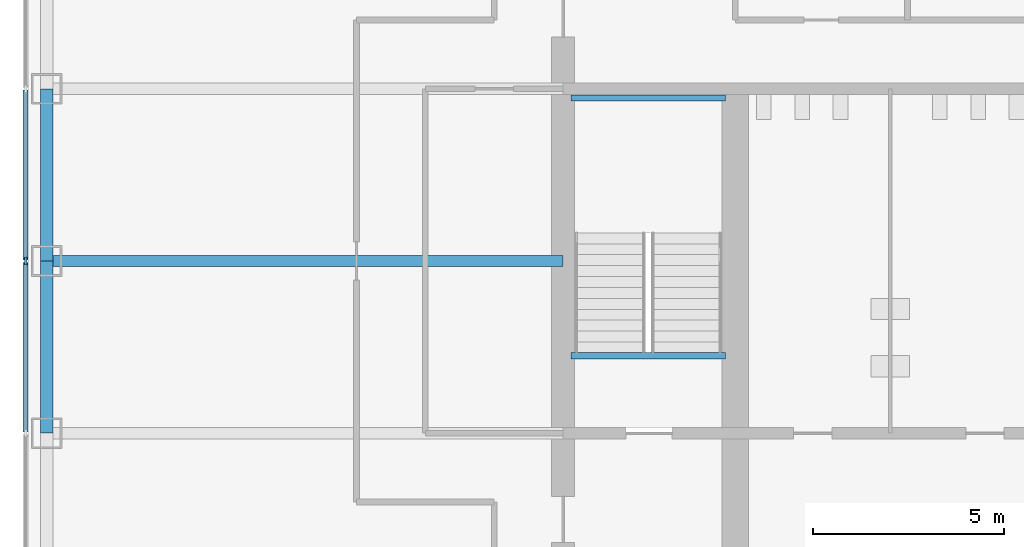
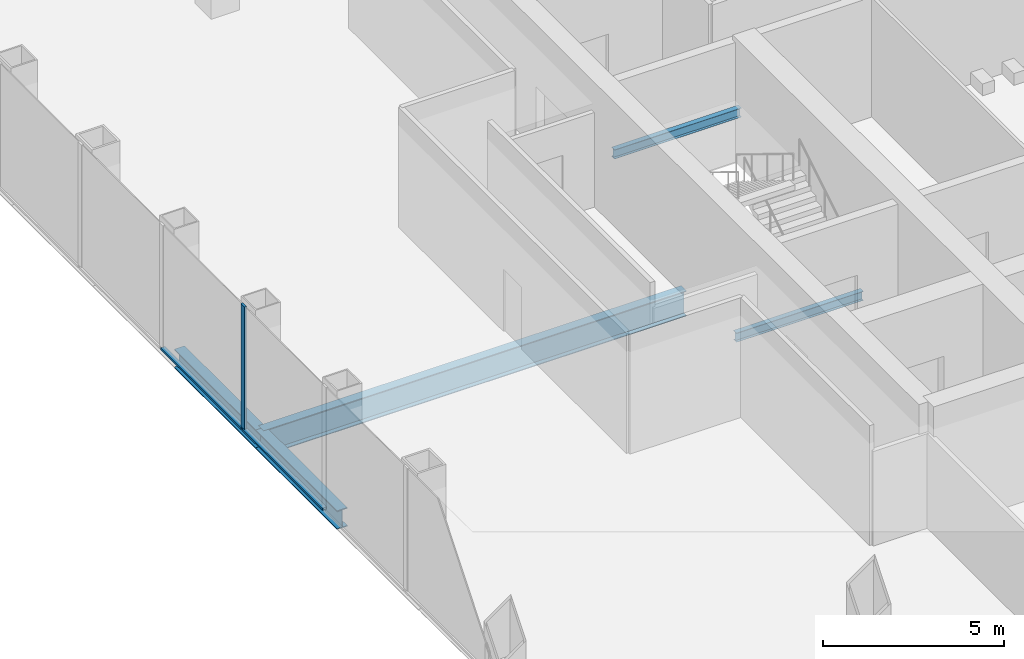
# One storey, part 3 of 12: 5 beams, 3 members, 1 element without a shape of its own.
"""IFC4 building model written with IfcOpenShell, lengths in metres."""

from ifc_helpers import new_model, si_unit, direction, frame, origin, origin_2d, place, context, subcontext, project, spatial, rectangle, i_section, extrude, material, material_profile, profile_set, type_object, element, aggregate, save


model = new_model("IFC4")

# Units and contexts
model_context = context("Model", 3, precision=1e-05, world=origin(), true_north=direction((0.0, 1.0)))
body_context = subcontext(model_context, "Body", "Model", "MODEL_VIEW")
ifc_project = project(units=[si_unit("LENGTHUNIT", "METRE"), si_unit("AREAUNIT", "SQUARE_METRE"), si_unit("VOLUMEUNIT", "CUBIC_METRE"), si_unit("PLANEANGLEUNIT", "RADIAN"), si_unit("MASSUNIT", "GRAM", prefix="KILO")], contexts=[model_context])

# Site, building, storey
site_placement = place(None, origin())
site = spatial("IfcSite", under=ifc_project, at=site_placement, CompositionType="ELEMENT")
building_placement = place(site_placement, origin())
building = spatial("IfcBuilding", under=site, at=building_placement, Name="Corais Broadcast Tower", CompositionType="ELEMENT")
storey_placement = place(building_placement, frame((0.0, 0.0, 45.800048828125)))
storey = spatial("IfcBuildingStorey", under=building, at=storey_placement, Name="L09", CompositionType="ELEMENT", Elevation=45.800048828125)

# Beams
ifc_material_1 = material(Name="Steel ASTM A572 Grade 50", Category="steel")
ifc_material_profile_1 = material_profile(ifc_material_1, i_section(OverallWidth=0.2939453125, OverallDepth=0.85107421875, WebThickness=0.01611328125, FlangeThickness=0.02685546875, at=origin_2d()), Name="W840x226")
ifc_profile_set_1 = profile_set([ifc_material_profile_1], Name="Steel ASTM A572 Grade 50")
beam_type_1 = type_object("IfcBeamType", Name="Floor beam W840x226", PredefinedType="BEAM", material=ifc_profile_set_1)
beam_placement = place(storey_placement, frame((0.0, 27.0, -0.58544921875), z_axis=(1.0, 0.0, 0.0), x_axis=(0.0, 1.0, 0.0)))
element("IfcBeam", 1, at=beam_placement, inside=storey, type_object=beam_type_1, Name="B1 G/3 to G/6", PredefinedType="BEAM", context=body_context, shape_type="SweptSolid", body=[
    extrude(i_section(OverallWidth=0.2939453125, OverallDepth=0.85107421875, WebThickness=0.01611328125, FlangeThickness=0.02685546875, at=origin_2d()), origin(), (0.0, 0.0, 1.0), 13.5),
])
ifc_material_2 = material(Name="Steel ASTM A572 Grade 50", Category="steel")
ifc_material_profile_2 = material_profile(ifc_material_2, i_section(OverallWidth=0.1650390625, OverallDepth=0.31005859375, WebThickness=0.005859375, FlangeThickness=0.009765625, at=origin_2d()), Name="W310x38.7")
ifc_profile_set_2 = profile_set([ifc_material_profile_2], Name="Steel ASTM A572 Grade 50")
beam_type_2 = type_object("IfcBeamType", Name="Landing trimmer W310x38.7", PredefinedType="BEAM", material=ifc_profile_set_2)
for number, where, z_axis, x_axis, name in (
    (2, (13.699951171875, 24.52490234375, -0.35498046875), (1.0, 0.0, 0.0), (0.0, 1.0, 0.0), "LT1 stair A landing trimmer L09"),
    (3, (13.699951171875, 31.260009765625, 1.744873046875), (1.0, 0.0, 0.0), (0.0, 1.0, 0.0), "LT1 stair A half landing trimmer L09"),
):
    element("IfcBeam", number, at=place(storey_placement, frame(where, z_axis=z_axis, x_axis=x_axis)), inside=storey, type_object=beam_type_2, Name=name, PredefinedType="BEAM", context=body_context, shape_type="SweptSolid", body=[
        extrude(i_section(OverallWidth=0.1650390625, OverallDepth=0.31005859375, WebThickness=0.005859375, FlangeThickness=0.009765625, at=origin_2d()), origin(), (0.0, 0.0, 1.0), 4.050048828125),
    ])

# Curtain wall, member
ifc_material_3 = material(Name="Aluminium and glass", Category="aluminium")
curtain_wall_type = type_object("IfcCurtainWallType", Name="Unitised fritted curtain wall CW1", PredefinedType="NOTDEFINED", material=ifc_material_3)
curtain_wall_placement = place(storey_placement, origin())
curtain_wall = element("IfcCurtainWall", 4, at=curtain_wall_placement, inside=storey, type_object=curtain_wall_type, Name="CW1 curtain wall L09 2", PredefinedType="NOTDEFINED")
ifc_material_4 = material(Name="Aluminium 6063-T6", Category="aluminium")
ifc_material_profile_3 = material_profile(ifc_material_4, rectangle(XDim=0.06494140625, YDim=0.199951171875, at=origin_2d()), Name="Mullion CW1 65x200")
ifc_profile_set_3 = profile_set([ifc_material_profile_3], Name="Aluminium 6063-T6")
member_type_1 = type_object("IfcMemberType", Name="Mullion CW1 65x200", PredefinedType="MULLION", material=ifc_profile_set_3)
member_1_placement = place(storey_placement, frame((-0.550048828125, 27.0, 0.0), z_axis=(0.0, 0.0, 1.0), x_axis=(-1.0, 0.0, 0.0)))
member_1 = element("IfcMember", 5, at=member_1_placement, type_object=member_type_1, Name="CW1 mullion 6", PredefinedType="MULLION", context=body_context, shape_type="SweptSolid", body=[
    extrude(rectangle(XDim=0.06494140625, YDim=0.199951171875, at=origin_2d()), origin(), (0.0, 0.0, 1.0), 4.199951171875),
])

# Beams
ifc_material_5 = material(Name="Steel ASTM A572 Grade 50", Category="steel")
ifc_material_profile_4 = material_profile(ifc_material_5, i_section(OverallWidth=0.3291015625, OverallDepth=0.635009765625, WebThickness=0.017822265625, FlangeThickness=0.031005859375, at=origin_2d()), Name="W610x241")
ifc_profile_set_4 = profile_set([ifc_material_profile_4], Name="Steel ASTM A572 Grade 50")
beam_type_3 = type_object("IfcBeamType", Name="Spandrel W610x241", PredefinedType="BEAM", material=ifc_profile_set_4)
for number, where, z_axis, x_axis, name in (
    (6, (0.0, 27.0, -0.4775390625), (0.0, -1.0, 0.0), (1.0, 0.0, 0.0), "SB1 G/3 to F/3"),
    (7, (0.0, 31.5, -0.4775390625), (0.0, -1.0, 0.0), (1.0, 0.0, 0.0), "SB1 H/3 to G/3"),
):
    element("IfcBeam", number, at=place(storey_placement, frame(where, z_axis=z_axis, x_axis=x_axis)), inside=storey, type_object=beam_type_3, Name=name, PredefinedType="BEAM", context=body_context, shape_type="SweptSolid", body=[
        extrude(i_section(OverallWidth=0.3291015625, OverallDepth=0.635009765625, WebThickness=0.017822265625, FlangeThickness=0.031005859375, at=origin_2d()), origin(), (0.0, 0.0, 1.0), 4.5),
    ])

# Member
ifc_material_6 = material(Name="Aluminium 6063-T6", Category="aluminium")
ifc_material_profile_5 = material_profile(ifc_material_6, rectangle(XDim=0.139892578125, YDim=0.06494140625, at=origin_2d()), Name="Transom CW1 65x140")
ifc_profile_set_5 = profile_set([ifc_material_profile_5], Name="Aluminium 6063-T6")
member_type_2 = type_object("IfcMemberType", Name="Transom CW1 65x140", PredefinedType="USERDEFINED", material=ifc_profile_set_5)
member_2_placement = place(storey_placement, frame((-0.550048828125, 22.532470703125, 0.032470703125), z_axis=(0.0, 1.0, 0.0), x_axis=(-1.0, 0.0, 0.0)))
member_2 = element("IfcMember", 8, at=member_2_placement, type_object=member_type_2, Name="CW1 transom 5.1", ObjectType="TRANSOM", PredefinedType="USERDEFINED", context=body_context, shape_type="SweptSolid", body=[
    extrude(rectangle(XDim=0.139892578125, YDim=0.06494140625, at=origin_2d()), origin(), (0.0, 0.0, 1.0), 4.43505859375),
])

member_3_placement = place(storey_placement, frame((-0.550048828125, 27.032470703125, 0.032470703125), z_axis=(0.0, 1.0, 0.0), x_axis=(-1.0, 0.0, 0.0)))
member_3 = element("IfcMember", 9, at=member_3_placement, type_object=member_type_2, Name="CW1 transom 6.1", ObjectType="TRANSOM", PredefinedType="USERDEFINED", context=body_context, shape_type="SweptSolid", body=[
    extrude(rectangle(XDim=0.139892578125, YDim=0.06494140625, at=origin_2d()), origin(), (0.0, 0.0, 1.0), 4.43505859375),
])

aggregate(curtain_wall, [member_1, member_2, member_3])

save(model, "model.ifc")
